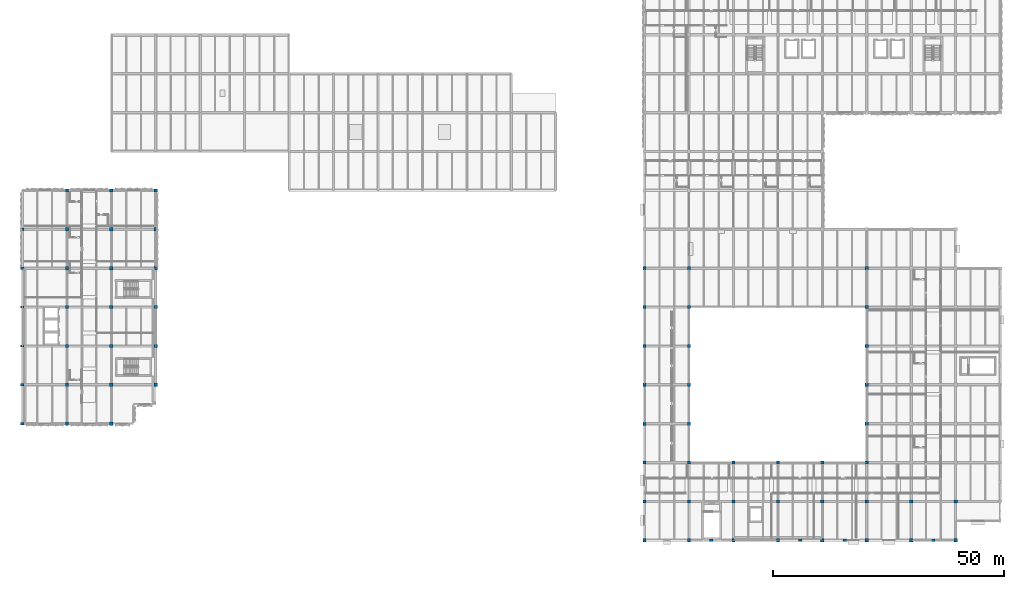
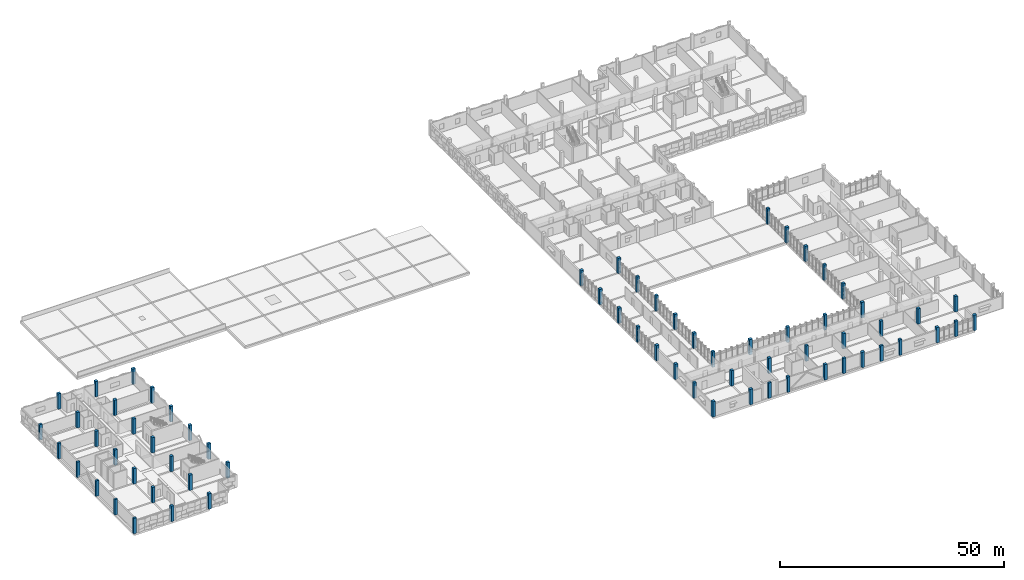
# One storey, part 1 of 57: 67 columns.
"""IFC4 building model written with IfcOpenShell, lengths in metres."""

import ifcopenshell
import ifcopenshell.guid

model = None  # the IFC model being written
_history = None  # IfcOwnerHistory: only IFC2X3 demands one
_inside = {}  # id of a spatial element -> (the spatial element, [elements in it])
_under = {}  # id of a project, library or spatial element -> (it, [spatial elements below it])
_declared = {}  # id of a project -> (the project, [libraries it declares])
_typed = {}  # id of a type object -> (the type object, [elements of that type])
_made_of = {}  # id of a material, layer set ... -> (it, [elements and type objects made of it])


def new_model(schema):
    """Start an empty IFC model of exactly this schema.

    Asked for "IFC4X3", IfcOpenShell would pick the latest addendum, in which some entities
    have other attributes; the version numbers below select the first issue.
    IFC2X3 requires an IfcOwnerHistory on every rooted entity: one is made here for all.
    """
    global model, _history
    if schema == "IFC4X3":
        model = ifcopenshell.file(schema_version=(4, 3, 0, 0))
    else:
        model = ifcopenshell.file(schema=schema)
    _inside.clear()
    _under.clear()
    _declared.clear()
    _typed.clear()
    _made_of.clear()
    _history = None
    if model.schema == "IFC2X3":
        org = make("IfcOrganization", Name="unknown")
        user = make(
            "IfcPersonAndOrganization",
            ThePerson=make("IfcPerson", FamilyName="unknown"),
            TheOrganization=org,
        )
        app = make(
            "IfcApplication",
            ApplicationDeveloper=org,
            Version="unknown",
            ApplicationFullName="unknown",
            ApplicationIdentifier="unknown",
        )
        _history = make(
            "IfcOwnerHistory",
            OwningUser=user,
            OwningApplication=app,
            ChangeAction="ADDED",
            CreationDate=0,
        )
    return model


def make(cls, **values):
    """One entity of the class cls with the attributes given. An attribute that is None is left unset."""
    return model.create_entity(
        cls, **{name: value for name, value in values.items() if value is not None}
    )


def rooted(cls, **values):
    """An entity with a GlobalId (a new one), such as an element, a storey or a relation."""
    return make(cls, GlobalId=ifcopenshell.guid.new(), OwnerHistory=_history, **values)


def si_unit(unit_type, name, prefix=None):
    """IfcSIUnit, for example si_unit("LENGTHUNIT", "METRE", prefix="MILLI")."""
    return make("IfcSIUnit", UnitType=unit_type, Prefix=prefix, Name=name)


def assignment(units):
    """IfcUnitAssignment: the units of a project."""
    return None if units is None else make("IfcUnitAssignment", Units=units)


def point(xyz):
    """IfcCartesianPoint."""
    return None if xyz is None else make("IfcCartesianPoint", Coordinates=xyz)


def direction(xyz):
    """IfcDirection."""
    return None if xyz is None else make("IfcDirection", DirectionRatios=xyz)


def frame(location, z_axis=None, x_axis=None):
    """IfcAxis2Placement3D, a coordinate frame: its origin and axes. An axis left out is left unset."""
    return make(
        "IfcAxis2Placement3D",
        Location=point(location),
        Axis=direction(z_axis),
        RefDirection=direction(x_axis),
    )


def frame_2d(location, x_axis=None):
    """IfcAxis2Placement2D, a coordinate frame in the plane: its origin and x axis."""
    return make(
        "IfcAxis2Placement2D", Location=point(location), RefDirection=direction(x_axis)
    )


def origin():
    """The frame at (0, 0, 0) with its axes left unset."""
    return frame((0.0, 0.0, 0.0))


def origin_2d():
    """The frame at (0, 0) in the plane with its x axis left unset."""
    return frame_2d((0.0, 0.0))


def place(relative_to, where):
    """IfcLocalPlacement: puts the frame where relative to a parent placement (None: the world)."""
    return make(
        "IfcLocalPlacement", PlacementRelTo=relative_to, RelativePlacement=where
    )


def context(
    kind, dimensions, precision=None, world=None, true_north=None, identifier=None
):
    """IfcGeometricRepresentationContext, for example the 3D "Model" context."""
    return make(
        "IfcGeometricRepresentationContext",
        ContextIdentifier=identifier,
        ContextType=kind,
        CoordinateSpaceDimension=dimensions,
        Precision=precision,
        WorldCoordinateSystem=world,
        TrueNorth=true_north,
    )


def subcontext(parent, identifier, kind, view, scale=None):
    """IfcGeometricRepresentationSubContext, for example "Body" below "Model"."""
    return make(
        "IfcGeometricRepresentationSubContext",
        ContextIdentifier=identifier,
        ContextType=kind,
        ParentContext=parent,
        TargetScale=scale,
        TargetView=view,
    )


def project(units=None, contexts=None):
    """IfcProject with its units and contexts."""
    return rooted(
        "IfcProject",
        Name="project",
        RepresentationContexts=contexts,
        UnitsInContext=assignment(units),
    )


def spatial(cls, under=None, at=None, **own):
    """A site, building, storey or space (cls), placed at a placement, below another one or the project."""
    s = rooted(cls, ObjectPlacement=at, **own)
    if under is not None:
        _under.setdefault(under.id(), (under, []))[1].append(s)
    return s


def profile(cls, at=None, kind="AREA", **sizes):
    """A parametric profile (cls). Its sizes go by their IFC names, for example OverallWidth=200.0."""
    return make(cls, ProfileType=kind, Position=at, **sizes)


def rectangle(**sizes):
    """IfcRectangleProfileDef."""
    return profile("IfcRectangleProfileDef", **sizes)


def extrude(swept, where, along, depth):
    """IfcExtrudedAreaSolid: the profile swept, set in the frame where, extruded along a direction by depth."""
    return make(
        "IfcExtrudedAreaSolid",
        SweptArea=swept,
        Position=where,
        ExtrudedDirection=direction(along),
        Depth=depth,
    )


def shape(context_of_items, identifier, shape_type, items):
    """IfcShapeRepresentation: the items that make up one representation, for example the "Body"."""
    return make(
        "IfcShapeRepresentation",
        ContextOfItems=context_of_items,
        RepresentationIdentifier=identifier,
        RepresentationType=shape_type,
        Items=items,
    )


def material(Name=None, Category=None):
    """IfcMaterial."""
    return make("IfcMaterial", Name=Name, Category=Category)


def material_profile(
    of_material, cross_section, Name=None, Category=None, Priority=None
):
    """IfcMaterialProfile: a cross section and its material."""
    return make(
        "IfcMaterialProfile",
        Name=Name,
        Material=of_material,
        Profile=cross_section,
        Priority=Priority,
        Category=Category,
    )


def profile_set(profiles, Name=None, composite=None):
    """IfcMaterialProfileSet."""
    return make(
        "IfcMaterialProfileSet",
        Name=Name,
        MaterialProfiles=profiles,
        CompositeProfile=composite,
    )


def made_of(thing, what):
    """Note that an element or type object is made of a material, layer set ...; save() writes the relation."""
    if what is not None:
        _made_of.setdefault(what.id(), (what, []))[1].append(thing)
    return thing


def type_object(cls, material=None, **own):
    """A type object (cls), such as IfcWallType, which elements share."""
    return made_of(rooted(cls, **own), material)


def element(
    cls,
    number,
    at=None,
    inside=None,
    cuts=None,
    type_object=None,
    material=None,
    context=None,
    identifier="Body",
    shape_type=None,
    held_by="IfcProductDefinitionShape",
    body=None,
    shapes=None,
    **own,
):
    """One element of the class cls, such as IfcWall. Its Tag is "e" and its number.

    at: its placement. inside: the storey or other place that contains it. cuts: it is an
    opening in that element (IfcRelVoidsElement). A single representation is given by context,
    identifier, shape_type and body (its items); several are given by shapes. held_by: the class
    of the entity that holds the representations. save() writes the other relations.
    """
    e = rooted(cls, Tag="e%d" % number, ObjectPlacement=at, **own)
    if body is not None:
        shapes = [shape(context, identifier, shape_type, body)]
    if shapes is not None:
        e.Representation = make(held_by, Representations=shapes)
    if inside is not None:
        _inside.setdefault(inside.id(), (inside, []))[1].append(e)
    if cuts is not None:
        rooted(
            "IfcRelVoidsElement", RelatingBuildingElement=cuts, RelatedOpeningElement=e
        )
    if type_object is not None:
        _typed.setdefault(type_object.id(), (type_object, []))[1].append(e)
    return made_of(e, material)


def aggregate(whole, parts):
    """IfcRelAggregates: a whole, such as a stair, and the parts it consists of."""
    return rooted("IfcRelAggregates", RelatingObject=whole, RelatedObjects=parts)


def save(model, path):
    """Write the relations noted so far, then the file.

    IfcRelAggregates (storeys below a building ...), IfcRelContainedInSpatialStructure (elements
    in a storey), IfcRelDefinesByType, IfcRelAssociatesMaterial and IfcRelDeclares: one each for
    every whole, place, type object, material and project.
    """
    for whole, parts in _under.values():
        aggregate(whole, parts)
    for where, things in _inside.values():
        rooted(
            "IfcRelContainedInSpatialStructure",
            RelatedElements=things,
            RelatingStructure=where,
        )
    for kind, things in _typed.values():
        rooted("IfcRelDefinesByType", RelatedObjects=things, RelatingType=kind)
    for what, things in _made_of.values():
        rooted("IfcRelAssociatesMaterial", RelatedObjects=things, RelatingMaterial=what)
    for by, libraries in _declared.values():
        rooted("IfcRelDeclares", RelatingContext=by, RelatedDefinitions=libraries)
    model.write(path)


model = new_model("IFC4")

# Units and contexts
model_context = context("Model", 3, precision=1e-05, world=origin(), true_north=direction((0.0, 1.0)))
body_context = subcontext(model_context, "Body", "Model", "MODEL_VIEW")
ifc_project = project(units=[si_unit("LENGTHUNIT", "METRE"), si_unit("AREAUNIT", "SQUARE_METRE"), si_unit("VOLUMEUNIT", "CUBIC_METRE"), si_unit("PLANEANGLEUNIT", "RADIAN"), si_unit("MASSUNIT", "GRAM", prefix="KILO")], contexts=[model_context])

# Site, building, storey
site_placement = place(None, origin())
site = spatial("IfcSite", under=ifc_project, at=site_placement, CompositionType="ELEMENT")
building_placement = place(site_placement, origin())
building = spatial("IfcBuilding", under=site, at=building_placement, Name="Oolite Switchyard Hospital", CompositionType="ELEMENT")
storey_placement = place(building_placement, frame((0.0, 0.0, 17.800048828125)))
storey = spatial("IfcBuildingStorey", under=building, at=storey_placement, Name="L04", CompositionType="ELEMENT", Elevation=17.800048828125)

# Columns
ifc_material_1 = material(Name="Concrete C50/60", Category="concrete")
ifc_material_profile_1 = material_profile(ifc_material_1, rectangle(XDim=0.699951171875, YDim=0.699951171875, at=origin_2d()), Name="RC700X700")
ifc_profile_set_1 = profile_set([ifc_material_profile_1], Name="Concrete C50/60")
column_type_1 = type_object("IfcColumnType", Name="COL-RC700", PredefinedType="COLUMN", material=ifc_profile_set_1)
for number, where, z_axis, x_axis, name in (
    (1, (9.60009765625, 33.60009765625, 0.0), (0.0, 0.0, 1.0), (1.0, 0.0, 0.0), "L04 Column 1134"),
    (2, (9.60009765625, 42.0, 0.0), (0.0, 0.0, 1.0), (1.0, 0.0, 0.0), "L04 Column 1135"),
    (3, (9.60009765625, 50.39990234375, 0.0), (0.0, 0.0, 1.0), (1.0, 0.0, 0.0), "L04 Column 1136"),
    (4, (9.60009765625, 58.800048828125, 0.0), (0.0, 0.0, 1.0), (1.0, 0.0, 0.0), "L04 Column 1137"),
    (5, (9.60009765625, 67.199951171875, 0.0), (0.0, 0.0, 1.0), (1.0, 0.0, 0.0), "L04 Column 1138"),
    (6, (9.60009765625, 75.60009765625, 0.0), (0.0, 0.0, 1.0), (1.0, 0.0, 0.0), "L04 Column 1139"),
    (7, (9.60009765625, 84.0, 0.0), (0.0, 0.0, 1.0), (1.0, 0.0, 0.0), "L04 Column 1140"),
    (8, (19.199951171875, 33.60009765625, 0.0), (0.0, 0.0, 1.0), (1.0, 0.0, 0.0), "L04 Column 1141"),
    (9, (19.199951171875, 42.0, 0.0), (0.0, 0.0, 1.0), (1.0, 0.0, 0.0), "L04 Column 1142"),
    (10, (19.199951171875, 50.39990234375, 0.0), (0.0, 0.0, 1.0), (1.0, 0.0, 0.0), "L04 Column 1143"),
    (11, (19.199951171875, 58.800048828125, 0.0), (0.0, 0.0, 1.0), (1.0, 0.0, 0.0), "L04 Column 1144"),
    (12, (19.199951171875, 67.199951171875, 0.0), (0.0, 0.0, 1.0), (1.0, 0.0, 0.0), "L04 Column 1145"),
    (13, (19.199951171875, 75.60009765625, 0.0), (0.0, 0.0, 1.0), (1.0, 0.0, 0.0), "L04 Column 1146"),
    (14, (19.199951171875, 84.0, 0.0), (0.0, 0.0, 1.0), (1.0, 0.0, 0.0), "L04 Column 1147"),
    (15, (28.800048828125, 42.0, 0.0), (0.0, 0.0, 1.0), (1.0, 0.0, 0.0), "L04 Column 1148"),
    (16, (28.800048828125, 50.39990234375, 0.0), (0.0, 0.0, 1.0), (1.0, 0.0, 0.0), "L04 Column 1149"),
    (17, (28.800048828125, 58.800048828125, 0.0), (0.0, 0.0, 1.0), (1.0, 0.0, 0.0), "L04 Column 1150"),
    (18, (28.800048828125, 67.199951171875, 0.0), (0.0, 0.0, 1.0), (1.0, 0.0, 0.0), "L04 Column 1151"),
    (19, (28.800048828125, 75.60009765625, 0.0), (0.0, 0.0, 1.0), (1.0, 0.0, 0.0), "L04 Column 1152"),
    (20, (28.800048828125, 84.0, 0.0), (0.0, 0.0, 1.0), (1.0, 0.0, 0.0), "L04 Column 1153"),
    (21, (134.39990234375, 8.39990234375, 0.0), (0.0, 0.0, 1.0), (1.0, 0.0, 0.0), "L04 Column 1154"),
    (22, (134.39990234375, 16.800048828125, 0.0), (0.0, 0.0, 1.0), (1.0, 0.0, 0.0), "L04 Column 1155"),
    (23, (134.39990234375, 25.199951171875, 0.0), (0.0, 0.0, 1.0), (1.0, 0.0, 0.0), "L04 Column 1156"),
    (24, (134.39990234375, 33.60009765625, 0.0), (0.0, 0.0, 1.0), (1.0, 0.0, 0.0), "L04 Column 1157"),
    (25, (134.39990234375, 42.0, 0.0), (0.0, 0.0, 1.0), (1.0, 0.0, 0.0), "L04 Column 1158"),
    (26, (134.39990234375, 50.39990234375, 0.0), (0.0, 0.0, 1.0), (1.0, 0.0, 0.0), "L04 Column 1159"),
    (27, (134.39990234375, 58.800048828125, 0.0), (0.0, 0.0, 1.0), (1.0, 0.0, 0.0), "L04 Column 1160"),
    (28, (134.39990234375, 67.199951171875, 0.0), (0.0, 0.0, 1.0), (1.0, 0.0, 0.0), "L04 Column 1161"),
    (29, (144.0, 8.39990234375, 0.0), (0.0, 0.0, 1.0), (1.0, 0.0, 0.0), "L04 Column 1170"),
    (30, (144.0, 16.800048828125, 0.0), (0.0, 0.0, 1.0), (1.0, 0.0, 0.0), "L04 Column 1171"),
    (31, (144.0, 25.199951171875, 0.0), (0.0, 0.0, 1.0), (1.0, 0.0, 0.0), "L04 Column 1172"),
    (32, (144.0, 33.60009765625, 0.0), (0.0, 0.0, 1.0), (1.0, 0.0, 0.0), "L04 Column 1173"),
    (33, (144.0, 42.0, 0.0), (0.0, 0.0, 1.0), (1.0, 0.0, 0.0), "L04 Column 1174"),
    (34, (144.0, 50.39990234375, 0.0), (0.0, 0.0, 1.0), (1.0, 0.0, 0.0), "L04 Column 1175"),
    (35, (144.0, 58.800048828125, 0.0), (0.0, 0.0, 1.0), (1.0, 0.0, 0.0), "L04 Column 1176"),
    (36, (144.0, 67.199951171875, 0.0), (0.0, 0.0, 1.0), (1.0, 0.0, 0.0), "L04 Column 1177"),
    (37, (153.60009765625, 8.39990234375, 0.0), (0.0, 0.0, 1.0), (1.0, 0.0, 0.0), "L04 Column 1186"),
    (38, (153.60009765625, 16.800048828125, 0.0), (0.0, 0.0, 1.0), (1.0, 0.0, 0.0), "L04 Column 1187"),
    (39, (153.60009765625, 25.199951171875, 0.0), (0.0, 0.0, 1.0), (1.0, 0.0, 0.0), "L04 Column 1188"),
    (40, (163.199951171875, 8.39990234375, 0.0), (0.0, 0.0, 1.0), (1.0, 0.0, 0.0), "L04 Column 1197"),
    (41, (163.199951171875, 16.800048828125, 0.0), (0.0, 0.0, 1.0), (1.0, 0.0, 0.0), "L04 Column 1198"),
    (42, (163.199951171875, 25.199951171875, 0.0), (0.0, 0.0, 1.0), (1.0, 0.0, 0.0), "L04 Column 1199"),
    (43, (172.800048828125, 8.39990234375, 0.0), (0.0, 0.0, 1.0), (1.0, 0.0, 0.0), "L04 Column 1208"),
    (44, (172.800048828125, 16.800048828125, 0.0), (0.0, 0.0, 1.0), (1.0, 0.0, 0.0), "L04 Column 1209"),
    (45, (172.800048828125, 25.199951171875, 0.0), (0.0, 0.0, 1.0), (1.0, 0.0, 0.0), "L04 Column 1210"),
    (46, (182.39990234375, 8.39990234375, 0.0), (0.0, 0.0, 1.0), (1.0, 0.0, 0.0), "L04 Column 1219"),
    (47, (182.39990234375, 16.800048828125, 0.0), (0.0, 0.0, 1.0), (1.0, 0.0, 0.0), "L04 Column 1220"),
    (48, (182.39990234375, 25.199951171875, 0.0), (0.0, 0.0, 1.0), (1.0, 0.0, 0.0), "L04 Column 1221"),
    (49, (182.39990234375, 33.60009765625, 0.0), (0.0, 0.0, 1.0), (1.0, 0.0, 0.0), "L04 Column 1222"),
    (50, (182.39990234375, 42.0, 0.0), (0.0, 0.0, 1.0), (1.0, 0.0, 0.0), "L04 Column 1223"),
    (51, (182.39990234375, 50.39990234375, 0.0), (0.0, 0.0, 1.0), (1.0, 0.0, 0.0), "L04 Column 1224"),
    (52, (182.39990234375, 58.800048828125, 0.0), (0.0, 0.0, 1.0), (1.0, 0.0, 0.0), "L04 Column 1225"),
    (53, (182.39990234375, 67.199951171875, 0.0), (0.0, 0.0, 1.0), (1.0, 0.0, 0.0), "L04 Column 1226"),
    (54, (192.0, 8.39990234375, 0.0), (0.0, 0.0, 1.0), (1.0, 0.0, 0.0), "L04 Column 1233"),
    (55, (192.0, 16.800048828125, 0.0), (0.0, 0.0, 1.0), (1.0, 0.0, 0.0), "L04 Column 1234"),
    (56, (201.60009765625, 8.39990234375, 0.0), (0.0, 0.0, 1.0), (1.0, 0.0, 0.0), "L04 Column 1247"),
    (57, (201.60009765625, 16.800048828125, 0.0), (0.0, 0.0, 1.0), (1.0, 0.0, 0.0), "L04 Column 1248"),
):
    element("IfcColumn", number, at=place(storey_placement, frame(where, z_axis=z_axis, x_axis=x_axis)), inside=storey, type_object=column_type_1, Name=name, PredefinedType="COLUMN", context=body_context, shape_type="SweptSolid", body=[
        extrude(rectangle(XDim=0.699951171875, YDim=0.699951171875, at=origin_2d()), origin(), (0.0, 0.0, 1.0), 4.199951171875),
    ])
ifc_material_profile_2 = material_profile(ifc_material_1, rectangle(XDim=0.75, YDim=0.5, at=origin_2d()), Name="RC750X500")
ifc_profile_set_2 = profile_set([ifc_material_profile_2], Name="Concrete C50/60")
column_type_2 = type_object("IfcColumnType", Name="COL-RCR750", PredefinedType="COLUMN", material=ifc_profile_set_2)
for number, where, z_axis, x_axis, name in (
    (58, (0.0, 33.60009765625, 0.0), (0.0, 0.0, 1.0), (1.0, 0.0, 0.0), "L04 Column 1128"),
    (59, (0.0, 42.0, 0.0), (0.0, 0.0, 1.0), (1.0, 0.0, 0.0), "L04 Column 1129"),
    (60, (0.0, 50.39990234375, 0.0), (0.0, 0.0, 1.0), (1.0, 0.0, 0.0), "L04 Column 1130"),
    (61, (0.0, 58.800048828125, 0.0), (0.0, 0.0, 1.0), (1.0, 0.0, 0.0), "L04 Column 1131"),
    (62, (0.0, 67.199951171875, 0.0), (0.0, 0.0, 1.0), (1.0, 0.0, 0.0), "L04 Column 1132"),
    (63, (0.0, 75.60009765625, 0.0), (0.0, 0.0, 1.0), (1.0, 0.0, 0.0), "L04 Column 1133"),
):
    element("IfcColumn", number, at=place(storey_placement, frame(where, z_axis=z_axis, x_axis=x_axis)), inside=storey, type_object=column_type_2, Name=name, PredefinedType="COLUMN", context=body_context, shape_type="SweptSolid", body=[
        extrude(rectangle(XDim=0.75, YDim=0.5, at=origin_2d()), origin(), (0.0, 0.0, 1.0), 4.199951171875),
    ])
ifc_material_2 = material(Name="Precast concrete C40/50", Category="concrete")
ifc_material_profile_3 = material_profile(ifc_material_2, rectangle(XDim=0.75, YDim=0.5, at=origin_2d()), Name="PIL750X500")
ifc_profile_set_3 = profile_set([ifc_material_profile_3], Name="Precast concrete C40/50")
column_type_3 = type_object("IfcColumnType", Name="PIL-750X500", PredefinedType="PILASTER", material=ifc_profile_set_3)
for number, where, z_axis, x_axis, name in (
    (64, (148.800048828125, 8.39990234375, 0.0), (0.0, 0.0, 1.0), (1.0, 0.0, 0.0), "L04 Classical Pilaster 59"),
    (65, (168.0, 8.39990234375, 0.0), (0.0, 0.0, 1.0), (1.0, 0.0, 0.0), "L04 Classical Pilaster 60"),
    (66, (177.60009765625, 8.39990234375, 0.0), (0.0, 0.0, 1.0), (1.0, 0.0, 0.0), "L04 Classical Pilaster 61"),
    (67, (196.800048828125, 8.39990234375, 0.0), (0.0, 0.0, 1.0), (1.0, 0.0, 0.0), "L04 Classical Pilaster 62"),
):
    element("IfcColumn", number, at=place(storey_placement, frame(where, z_axis=z_axis, x_axis=x_axis)), inside=storey, type_object=column_type_3, Name=name, PredefinedType="PILASTER", context=body_context, shape_type="SweptSolid", body=[
        extrude(rectangle(XDim=0.75, YDim=0.5, at=origin_2d()), origin(), (0.0, 0.0, 1.0), 4.199951171875),
    ])

save(model, "model.ifc")
